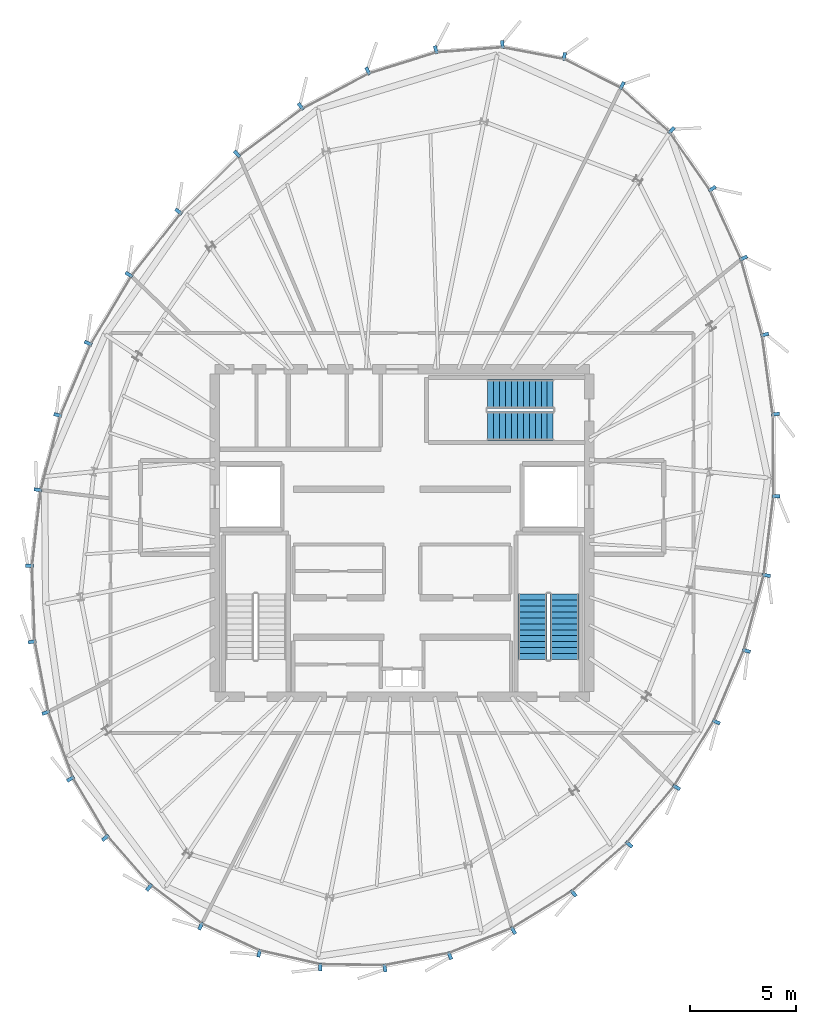
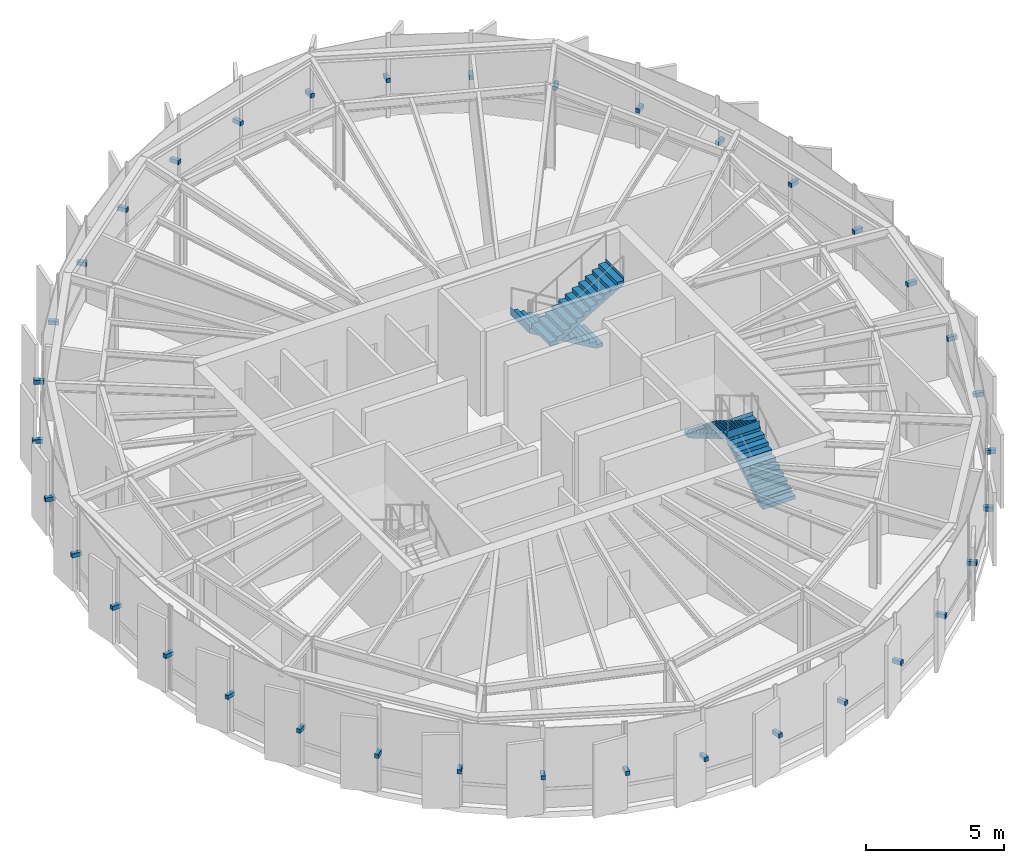
# One storey, part 23 of 26: 36 discrete accessories, 4 stair flights, 2 elements without a shape of their own.
"""IFC4 building model written with IfcOpenShell, lengths in metres."""

from ifc_helpers import new_model, si_unit, direction, frame, origin, origin_2d, place, context, subcontext, project, spatial, polyline, rectangle, outline, extrude, source, transform, mapped, material, type_object, element, aggregate, save


model = new_model("IFC4")

# Units and contexts
model_context = context("Model", 3, precision=1e-05, world=origin(), true_north=direction((0.0, 1.0)))
body_context = subcontext(model_context, "Body", "Model", "MODEL_VIEW")
ifc_project = project(units=[si_unit("LENGTHUNIT", "METRE"), si_unit("AREAUNIT", "SQUARE_METRE"), si_unit("VOLUMEUNIT", "CUBIC_METRE"), si_unit("PLANEANGLEUNIT", "RADIAN"), si_unit("MASSUNIT", "GRAM", prefix="KILO"), si_unit("THERMODYNAMICTEMPERATUREUNIT", "KELVIN")], contexts=[model_context])

# Site, building, storey
site_placement = place(None, origin())
site = spatial("IfcSite", under=ifc_project, at=site_placement, CompositionType="ELEMENT")
building_placement = place(site_placement, origin())
building = spatial("IfcBuilding", under=site, at=building_placement, Name="Kethvar Cultural Tower", CompositionType="ELEMENT")
storey_placement = place(building_placement, frame((0.0, 0.0, 320.300048828125)))
storey = spatial("IfcBuildingStorey", under=building, at=storey_placement, Name="L85", CompositionType="ELEMENT", Elevation=320.300048828125)

# Stair, stair flights
ifc_material_1 = material(Name="Concrete C40/50", Category="concrete")
stair_type = type_object("IfcStairType", Name="ST-DOGLEG-135", PredefinedType="HALF_TURN_STAIR", material=ifc_material_1)
stair_1_placement = place(storey_placement, origin())
stair_1 = element("IfcStair", 1, at=stair_1_placement, inside=storey, type_object=stair_type, Name="L85 Core Exit Stair 2", PredefinedType="HALF_TURN_STAIR")
stair_flight_type = type_object("IfcStairFlightType", Name="FL-STRAIGHT-135", PredefinedType="STRAIGHT", material=ifc_material_1)
stair_flight_1_placement = place(storey_placement, frame((54.43505859375, 21.85009765625, 0.0), z_axis=(0.0, 0.0, 1.0), x_axis=(0.0, 1.0, 0.0)))
stair_flight_1 = element("IfcStairFlight", 2, at=stair_flight_1_placement, type_object=stair_flight_type, Name="ST-02 flight 1", NumberOfRisers=12, NumberOfTreads=11, PredefinedType="STRAIGHT", RiserHeight=0.166666667, TreadLength=0.28, context=body_context, shape_type="SweptSolid", body=[
    extrude(outline(polyline([(-0.0009765625, -0.0009765625), (-0.0009765625, 0.166748046875), (0.280029296875, 0.166748046875), (0.280029296875, 0.333251953125), (0.56005859375, 0.333251953125), (0.56005859375, 0.5), (0.840087890625, 0.5), (0.840087890625, 0.666748046875), (1.1201171875, 0.666748046875), (1.1201171875, 0.833251953125), (1.39990234375, 0.833251953125), (1.39990234375, 1.0), (1.679931640625, 1.0), (1.679931640625, 1.166748046875), (1.9599609375, 1.166748046875), (1.9599609375, 1.333251953125), (2.239990234375, 1.333251953125), (2.239990234375, 1.5), (2.52001953125, 1.5), (2.52001953125, 1.666748046875), (2.800048828125, 1.666748046875), (2.800048828125, 1.833251953125), (3.080078125, 1.833251953125), (3.080078125, 2.0), (3.0810546875, 2.0), (3.0810546875, 1.658935546875), (0.29296875, 0.0), (0.0, -0.0009765625), (-0.0009765625, -0.0009765625)])), frame((0.0, 0.675048828125, 0.0), z_axis=(0.0, -1.0, 0.0), x_axis=(1.0, 0.0, 0.0)), (0.0, 0.0, 1.0), 1.35009765625),
])
stair_flight_2_placement = place(storey_placement, frame((52.925048828125, 24.929931640625, 2.0), z_axis=(0.0, 0.0, 1.0), x_axis=(0.0, -1.0, 0.0)))
stair_flight_2 = element("IfcStairFlight", 3, at=stair_flight_2_placement, type_object=stair_flight_type, Name="ST-02 flight 2", NumberOfRisers=12, NumberOfTreads=11, PredefinedType="STRAIGHT", RiserHeight=0.166666667, TreadLength=0.28, context=body_context, shape_type="SweptSolid", body=[
    extrude(outline(polyline([(-0.0009765625, -0.0009765625), (-0.0009765625, 0.166748046875), (0.280029296875, 0.166748046875), (0.280029296875, 0.333251953125), (0.56005859375, 0.333251953125), (0.56005859375, 0.5), (0.840087890625, 0.5), (0.840087890625, 0.666748046875), (1.1201171875, 0.666748046875), (1.1201171875, 0.833251953125), (1.39990234375, 0.833251953125), (1.39990234375, 1.0), (1.679931640625, 1.0), (1.679931640625, 1.166748046875), (1.9599609375, 1.166748046875), (1.9599609375, 1.333251953125), (2.239990234375, 1.333251953125), (2.239990234375, 1.5), (2.52001953125, 1.5), (2.52001953125, 1.666748046875), (2.800048828125, 1.666748046875), (2.800048828125, 1.833251953125), (3.080078125, 1.833251953125), (3.080078125, 2.0), (3.0810546875, 2.0), (3.0810546875, 1.658935546875), (0.29296875, 0.0), (0.0, -0.0009765625), (-0.0009765625, -0.0009765625)])), frame((0.0, 0.675048828125, 0.0), z_axis=(0.0, -1.0, 0.0), x_axis=(1.0, 0.0, 0.0)), (0.0, 0.0, 1.0), 1.35009765625),
])
aggregate(stair_1, [stair_flight_1, stair_flight_2])

stair_2_placement = place(storey_placement, origin())
stair_2 = element("IfcStair", 4, at=stair_2_placement, inside=storey, type_object=stair_type, Name="L85 Core Exit Stair 3", PredefinedType="HALF_TURN_STAIR")
stair_flight_3_placement = place(storey_placement, frame((53.89990234375, 34.3349609375, 0.0), z_axis=(0.0, 0.0, 1.0), x_axis=(-1.0, 0.0, 0.0)))
stair_flight_3 = element("IfcStairFlight", 5, at=stair_flight_3_placement, type_object=stair_flight_type, Name="ST-03 flight 1", NumberOfRisers=12, NumberOfTreads=11, PredefinedType="STRAIGHT", RiserHeight=0.166666667, TreadLength=0.28, context=body_context, shape_type="SweptSolid", body=[
    extrude(outline(polyline([(-0.0009765625, -0.0009765625), (-0.0009765625, 0.166748046875), (0.280029296875, 0.166748046875), (0.280029296875, 0.333251953125), (0.56005859375, 0.333251953125), (0.56005859375, 0.5), (0.840087890625, 0.5), (0.840087890625, 0.666748046875), (1.1201171875, 0.666748046875), (1.1201171875, 0.833251953125), (1.39990234375, 0.833251953125), (1.39990234375, 1.0), (1.679931640625, 1.0), (1.679931640625, 1.166748046875), (1.9599609375, 1.166748046875), (1.9599609375, 1.333251953125), (2.239990234375, 1.333251953125), (2.239990234375, 1.5), (2.52001953125, 1.5), (2.52001953125, 1.666748046875), (2.800048828125, 1.666748046875), (2.800048828125, 1.833251953125), (3.080078125, 1.833251953125), (3.080078125, 2.0), (3.0810546875, 2.0), (3.0810546875, 1.658935546875), (0.29296875, 0.0), (0.0, -0.0009765625), (-0.0009765625, -0.0009765625)])), frame((0.0, 0.675048828125, 0.0), z_axis=(0.0, -1.0, 0.0), x_axis=(1.0, 0.0, 0.0)), (0.0, 0.0, 1.0), 1.35009765625),
])
stair_flight_4_placement = place(storey_placement, frame((50.820068359375, 32.824951171875, 2.0), z_axis=(0.0, 0.0, 1.0), x_axis=(1.0, 0.0, 0.0)))
stair_flight_4 = element("IfcStairFlight", 6, at=stair_flight_4_placement, type_object=stair_flight_type, Name="ST-03 flight 2", NumberOfRisers=12, NumberOfTreads=11, PredefinedType="STRAIGHT", RiserHeight=0.166666667, TreadLength=0.28, context=body_context, shape_type="SweptSolid", body=[
    extrude(outline(polyline([(-0.0009765625, -0.0009765625), (-0.0009765625, 0.166748046875), (0.280029296875, 0.166748046875), (0.280029296875, 0.333251953125), (0.56005859375, 0.333251953125), (0.56005859375, 0.5), (0.840087890625, 0.5), (0.840087890625, 0.666748046875), (1.1201171875, 0.666748046875), (1.1201171875, 0.833251953125), (1.39990234375, 0.833251953125), (1.39990234375, 1.0), (1.679931640625, 1.0), (1.679931640625, 1.166748046875), (1.9599609375, 1.166748046875), (1.9599609375, 1.333251953125), (2.239990234375, 1.333251953125), (2.239990234375, 1.5), (2.52001953125, 1.5), (2.52001953125, 1.666748046875), (2.800048828125, 1.666748046875), (2.800048828125, 1.833251953125), (3.080078125, 1.833251953125), (3.080078125, 2.0), (3.0810546875, 2.0), (3.0810546875, 1.658935546875), (0.29296875, 0.0), (0.0, -0.0009765625), (-0.0009765625, -0.0009765625)])), frame((0.0, 0.675048828125, 0.0), z_axis=(0.0, -1.0, 0.0), x_axis=(1.0, 0.0, 0.0)), (0.0, 0.0, 1.0), 1.35009765625),
])
aggregate(stair_2, [stair_flight_3, stair_flight_4])

# Discrete accessories
ifc_material_2 = material(Name="Steel S355J2", Category="steel")
discrete_accessory_type = type_object("IfcDiscreteAccessoryType", Name="Steel Fin Bracket BRK-01", PredefinedType="BRACKET", material=ifc_material_2)
shared_shape = source(origin(), body_context, "Body", "SweptSolid", [
    extrude(rectangle(XDim=0.3798828125, YDim=0.159912109375, at=origin_2d()), origin(), (0.0, 0.0, 1.0), 0.179931640625),
])
for number, where, z_axis, x_axis, name in (
    (7, (54.42236328125, 50.1962890625, 1.55517578125), (0.0, 0.0, 1.0), (0.187552753198, 0.982254531559, 0.0), "L85 Terracotta Fin Bracket 1.1"),
    (8, (51.51611328125, 50.7509765625, 1.55517578125), (0.0, 0.0, 1.0), (-0.076545008426, 0.997066127037, 0.0), "L85 Terracotta Fin Bracket 1.2"),
    (9, (48.38916015625, 50.5107421875, 1.55517578125), (0.0, 0.0, 1.0), (-0.297874744877, 0.954604963513, 0.0), "L85 Terracotta Fin Bracket 1.3"),
    (10, (45.19140625, 49.512939453125, 1.55517578125), (0.0, 0.0, 1.0), (-0.468238278148, 0.883602237931, 0.0), "L85 Terracotta Fin Bracket 1.4"),
    (11, (42.0380859375, 47.841796875, 1.55517578125), (0.0, 0.0, 1.0), (-0.598044873781, 0.801462618557, 0.0), "L85 Terracotta Fin Bracket 1.5"),
    (12, (39.045654296875, 45.608642578125, 1.55517578125), (0.0, 0.0, 1.0), (-0.700660250228, 0.713495069184, 0.0), "L85 Terracotta Fin Bracket 1.6"),
    (13, (36.296875, 42.901611328125, 1.55517578125), (0.0, 0.0, 1.0), (-0.785964813832, 0.618271228037, 0.0), "L85 Terracotta Fin Bracket 2.1"),
    (14, (33.96533203125, 39.937744140625, 1.55517578125), (0.0, 0.0, 1.0), (-0.859138581274, 0.511743000114, 0.0), "L85 Terracotta Fin Bracket 2.2"),
    (15, (32.047119140625, 36.716552734375, 1.55517578125), (0.0, 0.0, 1.0), (-0.920777410896, 0.390088399704, 0.0), "L85 Terracotta Fin Bracket 2.3"),
    (16, (30.616455078125, 33.340087890625, 1.55517578125), (0.0, 0.0, 1.0), (-0.966823388604, 0.255445757936, 0.0), "L85 Terracotta Fin Bracket 2.4"),
    (17, (29.68896484375, 29.82861328125, 1.55517578125), (0.0, 0.0, 1.0), (-0.993552082856, 0.113376623045, 0.0), "L85 Terracotta Fin Bracket 2.5"),
    (18, (29.28125, 26.25537109375, 1.55517578125), (0.0, 0.0, 1.0), (-0.99937858391, -0.035248347778, 0.0), "L85 Terracotta Fin Bracket 2.6"),
    (19, (29.413818359375, 22.6875, 1.55517578125), (0.0, 0.0, 1.0), (-0.981760154029, -0.190123643878, 0.0), "L85 Terracotta Fin Bracket 3.1"),
    (20, (30.058837890625, 19.356689453125, 1.55517578125), (0.0, 0.0, 1.0), (-0.937038411905, -0.349226308593, 0.0), "L85 Terracotta Fin Bracket 3.2"),
    (21, (31.220458984375, 16.240478515625, 1.55517578125), (0.0, 0.0, 1.0), (-0.860742027004, -0.50904141575, 0.0), "L85 Terracotta Fin Bracket 3.3"),
    (22, (32.855712890625, 13.475830078125, 1.55517578125), (0.0, 0.0, 1.0), (-0.749302565154, -0.662227805105, 0.0), "L85 Terracotta Fin Bracket 3.4"),
    (23, (34.914794921875, 11.146240234375, 1.55517578125), (0.0, 0.0, 1.0), (-0.601815023152, -0.798635510047, 0.0), "L85 Terracotta Fin Bracket 3.5"),
    (24, (37.3349609375, 9.32275390625, 1.55517578125), (0.0, 0.0, 1.0), (-0.422460074755, -0.906381534034, 0.0), "L85 Terracotta Fin Bracket 3.6"),
    (25, (40.083984375, 8.05126953125, 1.55517578125), (0.0, 0.0, 1.0), (-0.221718689914, -0.975110671946, 0.0), "L85 Terracotta Fin Bracket 4.1"),
    (26, (42.9560546875, 7.398681640625, 1.55517578125), (0.0, 0.0, 1.0), (-0.013962180339, -0.999902524009, 0.0), "L85 Terracotta Fin Bracket 4.2"),
    (27, (45.986083984375, 7.3564453125, 1.55517578125), (0.0, 0.0, 1.0), (0.186181084768, -0.982515447041, 0.0), "L85 Terracotta Fin Bracket 4.3"),
    (28, (49.040771484375, 7.935546875, 1.55517578125), (0.0, 0.0, 1.0), (0.368124552685, -0.929776485888, 0.0), "L85 Terracotta Fin Bracket 4.4"),
    (29, (52.02685546875, 9.118408203125, 1.55517578125), (0.0, 0.0, 1.0), (0.526362330098, -0.850260370389, 0.0), "L85 Terracotta Fin Bracket 4.5"),
    (30, (54.8544921875, 10.86865234375, 1.55517578125), (0.0, 0.0, 1.0), (0.659214584257, -0.751954873581, 0.0), "L85 Terracotta Fin Bracket 4.6"),
    (31, (57.464111328125, 13.165771484375, 1.55517578125), (0.0, 0.0, 1.0), (0.768060036355, -0.640377842023, 0.0), "L85 Terracotta Fin Bracket 5.1"),
    (32, (59.69677734375, 15.84326171875, 1.55517578125), (0.0, 0.0, 1.0), (0.854549490308, -0.519369972768, 0.0), "L85 Terracotta Fin Bracket 5.2"),
    (33, (61.564208984375, 18.916748046875, 1.55517578125), (0.0, 0.0, 1.0), (0.920504853452, -0.390731128489, 0.0), "L85 Terracotta Fin Bracket 5.3"),
    (34, (62.9833984375, 22.260009765625, 1.55517578125), (0.0, 0.0, 1.0), (0.966644818229, -0.256120665687, 0.0), "L85 Terracotta Fin Bracket 5.4"),
    (35, (63.92236328125, 25.8046875, 1.55517578125), (0.0, 0.0, 1.0), (0.992503550747, -0.12221579994, 0.0), "L85 Terracotta Fin Bracket 5.5"),
    (36, (64.380859375, 29.525634765625, 1.55517578125), (0.0, 0.0, 1.0), (0.999976833935, 0.006806731521, 0.0), "L85 Terracotta Fin Bracket 5.6"),
    (37, (64.348876953125, 33.380615234375, 1.55517578125), (0.0, 0.0, 1.0), (0.99093636934, 0.134332095642, 0.0), "L85 Terracotta Fin Bracket 6.1"),
    (38, (63.841796875, 37.1201171875, 1.55517578125), (0.0, 0.0, 1.0), (0.963770246796, 0.266733783743, 0.0), "L85 Terracotta Fin Bracket 6.2"),
    (39, (62.845703125, 40.718994140625, 1.55517578125), (0.0, 0.0, 1.0), (0.911546866716, 0.411196193781, 0.0), "L85 Terracotta Fin Bracket 6.3"),
    (40, (61.378173828125, 43.97216796875, 1.55517578125), (0.0, 0.0, 1.0), (0.820451338314, 0.571716364519, 0.0), "L85 Terracotta Fin Bracket 6.4"),
    (41, (59.46240234375, 46.720703125, 1.55517578125), (0.0, 0.0, 1.0), (0.6715912843, 0.740921822362, 0.0), "L85 Terracotta Fin Bracket 6.5"),
    (42, (57.13818359375, 48.82666015625, 1.55517578125), (0.0, 0.0, 1.0), (0.453834982851, 0.891085746907, 0.0), "L85 Terracotta Fin Bracket 6.6"),
):
    element("IfcDiscreteAccessory", number, at=place(storey_placement, frame(where, z_axis=z_axis, x_axis=x_axis)), inside=storey, type_object=discrete_accessory_type, Name=name, PredefinedType="BRACKET", context=body_context, shape_type="MappedRepresentation", body=[
        mapped(shared_shape, transform((0.0, 0.0, 0.0), scale=1.0)),
    ])

save(model, "model.ifc")
